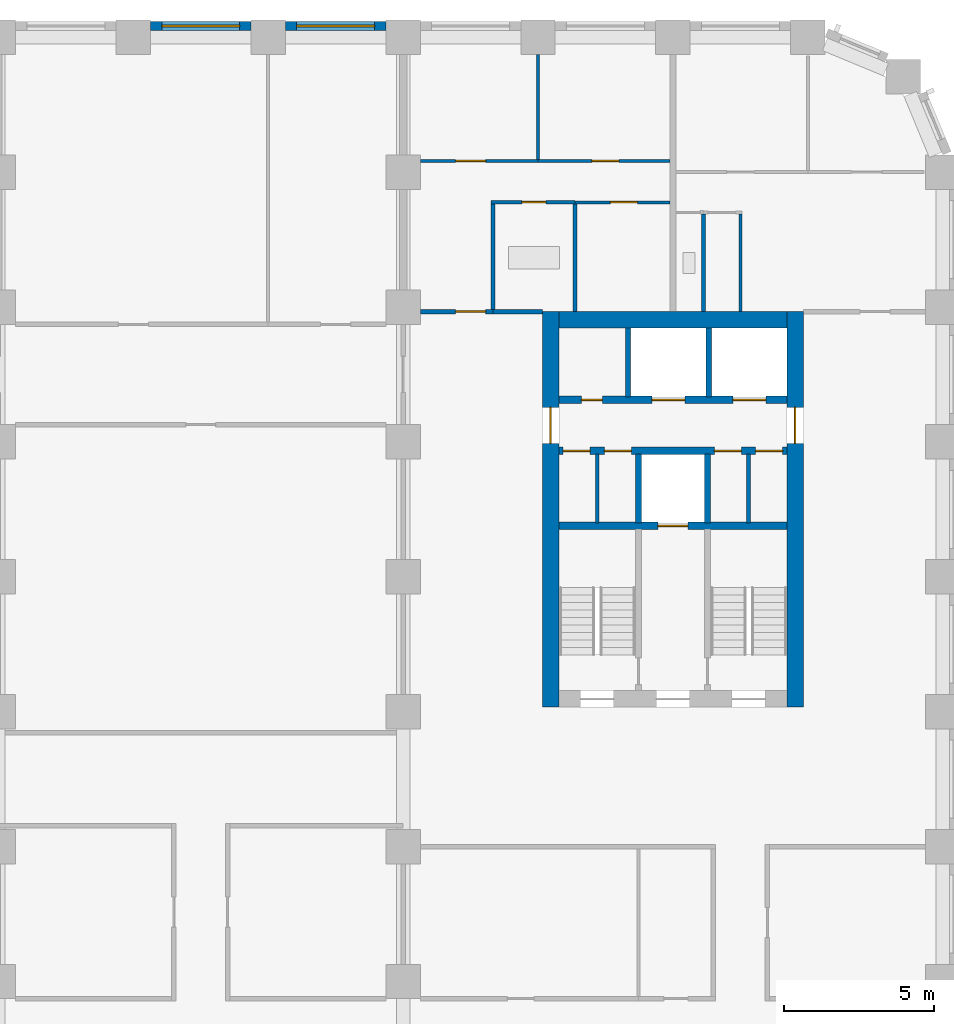
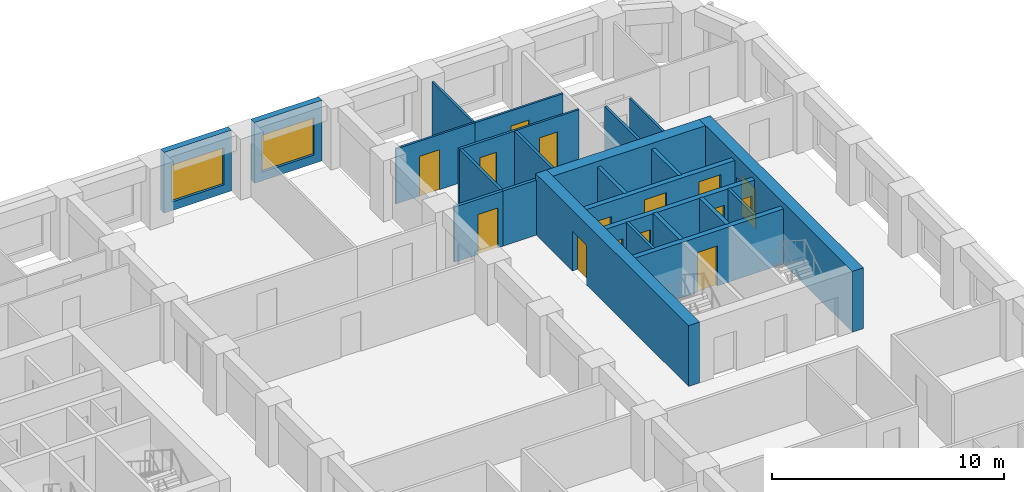
# One storey, part 8 of 12: 25 walls, 15 doors, 2 windows, 17 openings.
"""IFC4 building model written with IfcOpenShell, lengths in metres."""

from ifc_helpers import new_model, si_unit, direction, frame, frame_2d, origin, place, context, subcontext, project, spatial, rectangle, extrude, material, layer, layer_set, type_object, element, fill, save


model = new_model("IFC4")

# Units and contexts
model_context = context("Model", 3, precision=1e-05, world=origin(), true_north=direction((0.0, 1.0)))
body_context = subcontext(model_context, "Body", "Model", "MODEL_VIEW")
ifc_project = project(units=[si_unit("LENGTHUNIT", "METRE"), si_unit("AREAUNIT", "SQUARE_METRE"), si_unit("VOLUMEUNIT", "CUBIC_METRE"), si_unit("PLANEANGLEUNIT", "RADIAN"), si_unit("MASSUNIT", "GRAM", prefix="KILO")], contexts=[model_context])

# Site, building, storey
site_placement = place(None, origin())
site = spatial("IfcSite", under=ifc_project, at=site_placement, CompositionType="ELEMENT")
building_placement = place(site_placement, origin())
building = spatial("IfcBuilding", under=site, at=building_placement, Name="Girih Gate Residences", CompositionType="ELEMENT")
storey_placement = place(building_placement, frame((0.0, 0.0, 112.0)))
storey = spatial("IfcBuildingStorey", under=building, at=storey_placement, Name="L31", CompositionType="ELEMENT", Elevation=112.0)

# Wall
ifc_material_1 = material(Name="Gypsum board on steel studs", Category="steel")
ifc_layer_1 = layer(ifc_material_1, 0.14990234375)
ifc_layer_set_1 = layer_set([ifc_layer_1], Name="Compartment wall 150 mm")
wall_type_1 = type_object("IfcWallType", Name="Compartment wall 150 mm", PredefinedType="PARTITIONING", material=ifc_layer_set_1)
wall_1_placement = place(storey_placement, frame((34.5, 40.35009765625, 0.0), z_axis=(0.0, 0.0, 1.0), x_axis=(1.0, 0.0, 0.0)))
element("IfcWall", 1, at=wall_1_placement, inside=storey, type_object=wall_type_1, Name="L31 partition", PredefinedType="PARTITIONING", context=body_context, shape_type="SweptSolid", body=[
    extrude(rectangle(XDim=1.64990234375, YDim=0.14990234375, at=frame_2d((0.824951171875, 0.0))), origin(), (0.0, 0.0, 1.0), 2.89990234375),
])

# Wall, opening, door
wall_2_placement = place(storey_placement, frame((32.074951171875, 40.35009765625, 0.0), z_axis=(0.0, 0.0, 1.0), x_axis=(1.0, 0.0, 0.0)))
wall_2 = element("IfcWall", 2, at=wall_2_placement, inside=storey, type_object=wall_type_1, Name="L31 partition", PredefinedType="PARTITIONING", context=body_context, shape_type="SweptSolid", body=[
    extrude(rectangle(XDim=2.425048828125, YDim=0.14990234375, at=frame_2d((1.21240234375, 0.0))), origin(), (0.0, 0.0, 1.0), 2.89990234375),
])
opening_1_placement = place(wall_2_placement, frame((1.175048828125, 0.0, 0.0)))
opening_1 = element("IfcOpeningElement", 3, at=opening_1_placement, cuts=wall_2, Name="Opening A31-038", PredefinedType="OPENING", context=body_context, shape_type="SweptSolid", body=[
    extrude(rectangle(XDim=1.0, YDim=2.10009765625, at=frame_2d((0.5, 1.050048828125))), frame((0.0, 0.0849609375, 0.0), z_axis=(0.0, -1.0, 0.0), x_axis=(1.0, 0.0, 0.0)), (0.0, 0.0, 1.0), 0.169921875),
])
ifc_material_2 = material(Name="Timber, fire-rated core", Category="wood")
door_type_1 = type_object("IfcDoorType", Name="Flat entrance door 1000x2100 FD30S", OperationType="NOTDEFINED", PredefinedType="DOOR", material=ifc_material_2)
door_1_placement = place(opening_1_placement, origin())
door_1 = element("IfcDoor", 4, at=door_1_placement, inside=storey, type_object=door_type_1, Name="Door A31-038", OperationType="SINGLE_SWING_RIGHT", OverallHeight=2.10009765625, OverallWidth=1.0, PredefinedType="DOOR", context=body_context, shape_type="SweptSolid", body=[
    extrude(rectangle(XDim=1.0, YDim=2.10009765625, at=frame_2d((0.5, 1.050048828125))), frame((0.0, 0.02490234375, 0.0), z_axis=(0.0, -1.0, 0.0), x_axis=(1.0, 0.0, 0.0)), (0.0, 0.0, 1.0), 0.050048828125),
])
fill(opening_1, door_1)

# Wall
ifc_material_3 = material(Name="Concrete C60/75", Category="concrete")
ifc_layer_2 = layer(ifc_material_3, 0.550048828125)
ifc_layer_set_2 = layer_set([ifc_layer_2], Name="Core wall RC 550 Concrete C60/75")
wall_type_2 = type_object("IfcWallType", Name="Core wall RC 550 Concrete C60/75", PredefinedType="SOLIDWALL", material=ifc_layer_set_2)
wall_3_placement = place(storey_placement, frame((36.699951171875, 40.074951171875, 0.0), z_axis=(0.0, 0.0, 1.0), x_axis=(1.0, 0.0, 0.0)))
element("IfcWall", 5, at=wall_3_placement, inside=storey, type_object=wall_type_2, Name="Core wall E-N L31", PredefinedType="SOLIDWALL", context=body_context, shape_type="SweptSolid", body=[
    extrude(rectangle(XDim=7.60009765625, YDim=0.550048828125, at=frame_2d((3.800048828125, 0.0))), origin(), (0.0, 0.0, 1.0), 3.199951171875),
])

# Wall, opening, door
wall_4_placement = place(storey_placement, frame((36.425048828125, 27.14990234375, 0.0), z_axis=(0.0, 0.0, 1.0), x_axis=(0.0, 1.0, 0.0)))
wall_4 = element("IfcWall", 6, at=wall_4_placement, inside=storey, type_object=wall_type_2, Name="Core wall E-W L31", PredefinedType="SOLIDWALL", context=body_context, shape_type="SweptSolid", body=[
    extrude(rectangle(XDim=13.2001953125, YDim=0.550048828125, at=frame_2d((6.60009765625, 0.0))), origin(), (0.0, 0.0, 1.0), 3.199951171875),
])
opening_2_placement = place(wall_4_placement, frame((8.800048828125, 0.0, 0.0)))
opening_2 = element("IfcOpeningElement", 7, at=opening_2_placement, cuts=wall_4, Name="Opening D-L31-E-014", PredefinedType="OPENING", context=body_context, shape_type="SweptSolid", body=[
    extrude(rectangle(XDim=1.199951171875, YDim=2.10009765625, at=frame_2d((0.60009765625, 1.050048828125))), frame((0.0, 0.284912109375, 0.0), z_axis=(0.0, -1.0, 0.0), x_axis=(1.0, 0.0, 0.0)), (0.0, 0.0, 1.0), 0.570068359375),
])
ifc_material_4 = material(Name="Painted steel, fire-resisting", Category="steel")
door_type_2 = type_object("IfcDoorType", Name="Fire door 1200x2100", OperationType="SINGLE_SWING_LEFT", PredefinedType="DOOR", material=ifc_material_4)
door_2_placement = place(opening_2_placement, origin())
door_2 = element("IfcDoor", 8, at=door_2_placement, inside=storey, type_object=door_type_2, Name="L31 E core door ll-w", OperationType="SINGLE_SWING_LEFT", OverallHeight=2.10009765625, OverallWidth=1.199951171875, PredefinedType="DOOR", context=body_context, shape_type="SweptSolid", body=[
    extrude(rectangle(XDim=1.199951171875, YDim=2.10009765625, at=frame_2d((0.60009765625, 1.050048828125))), frame((0.0, 0.02490234375, 0.0), z_axis=(0.0, -1.0, 0.0), x_axis=(1.0, 0.0, 0.0)), (0.0, 0.0, 1.0), 0.050048828125),
])
fill(opening_2, door_2)

wall_5_placement = place(storey_placement, frame((44.574951171875, 27.14990234375, 0.0), z_axis=(0.0, 0.0, 1.0), x_axis=(0.0, 1.0, 0.0)))
wall_5 = element("IfcWall", 9, at=wall_5_placement, inside=storey, type_object=wall_type_2, Name="Core wall E-E L31", PredefinedType="SOLIDWALL", context=body_context, shape_type="SweptSolid", body=[
    extrude(rectangle(XDim=13.2001953125, YDim=0.550048828125, at=frame_2d((6.60009765625, 0.0))), origin(), (0.0, 0.0, 1.0), 3.199951171875),
])
opening_3_placement = place(wall_5_placement, frame((8.800048828125, 0.0, 0.0)))
opening_3 = element("IfcOpeningElement", 10, at=opening_3_placement, cuts=wall_5, Name="Opening D-L31-E-015", PredefinedType="OPENING", context=body_context, shape_type="SweptSolid", body=[
    extrude(rectangle(XDim=1.199951171875, YDim=2.10009765625, at=frame_2d((0.60009765625, 1.050048828125))), frame((0.0, 0.284912109375, 0.0), z_axis=(0.0, -1.0, 0.0), x_axis=(1.0, 0.0, 0.0)), (0.0, 0.0, 1.0), 0.570068359375),
])
door_3_placement = place(opening_3_placement, origin())
door_3 = element("IfcDoor", 11, at=door_3_placement, inside=storey, type_object=door_type_2, Name="L31 E core door ll-e", OperationType="SINGLE_SWING_LEFT", OverallHeight=2.10009765625, OverallWidth=1.199951171875, PredefinedType="DOOR", context=body_context, shape_type="SweptSolid", body=[
    extrude(rectangle(XDim=1.199951171875, YDim=2.10009765625, at=frame_2d((0.60009765625, 1.050048828125))), frame((0.0, 0.02490234375, 0.0), z_axis=(0.0, -1.0, 0.0), x_axis=(1.0, 0.0, 0.0)), (0.0, 0.0, 1.0), 0.050048828125),
])
fill(opening_3, door_3)

ifc_material_5 = material(Name="Concrete C40/50", Category="concrete")
ifc_layer_3 = layer(ifc_material_5, 0.25)
ifc_layer_set_3 = layer_set([ifc_layer_3], Name="Lift shaft wall 250")
wall_type_3 = type_object("IfcWallType", Name="Lift shaft wall 250", PredefinedType="SOLIDWALL", material=ifc_layer_set_3)
wall_6_placement = place(storey_placement, frame((36.699951171875, 33.199951171875, 0.0), z_axis=(0.0, 0.0, 1.0), x_axis=(1.0, 0.0, 0.0)))
wall_6 = element("IfcWall", 12, at=wall_6_placement, inside=storey, type_object=wall_type_3, Name="L31 E core wall H1", PredefinedType="SOLIDWALL", context=body_context, shape_type="SweptSolid", body=[
    extrude(rectangle(XDim=7.60009765625, YDim=0.25, at=frame_2d((3.800048828125, 0.0))), origin(), (0.0, 0.0, 1.0), 2.89990234375),
])
opening_4_placement = place(wall_6_placement, frame((3.300048828125, 0.0, 0.0)))
opening_4 = element("IfcOpeningElement", 13, at=opening_4_placement, cuts=wall_6, Name="Opening D-L31-E-005", PredefinedType="OPENING", context=body_context, shape_type="SweptSolid", body=[
    extrude(rectangle(XDim=1.0, YDim=2.10009765625, at=frame_2d((0.5, 1.050048828125))), frame((0.0, 0.135009765625, 0.0), z_axis=(0.0, -1.0, 0.0), x_axis=(1.0, 0.0, 0.0)), (0.0, 0.0, 1.0), 0.27001953125),
])
ifc_material_6 = material(Name="Stainless steel, fire-resisting", Category="steel")
door_type_3 = type_object("IfcDoorType", Name="Firefighting lift landing door 1000x2100", OperationType="SLIDING_TO_LEFT", PredefinedType="DOOR", material=ifc_material_6)
door_4_placement = place(opening_4_placement, origin())
door_4 = element("IfcDoor", 14, at=door_4_placement, inside=storey, type_object=door_type_3, Name="L31 lift FF-E landing door", OperationType="SLIDING_TO_LEFT", OverallHeight=2.10009765625, OverallWidth=1.0, PredefinedType="DOOR", context=body_context, shape_type="SweptSolid", body=[
    extrude(rectangle(XDim=1.0, YDim=2.10009765625, at=frame_2d((0.5, 1.050048828125))), frame((0.0, 0.02490234375, 0.0), z_axis=(0.0, -1.0, 0.0), x_axis=(1.0, 0.0, 0.0)), (0.0, 0.0, 1.0), 0.050048828125),
])
fill(opening_4, door_4)

# Wall, openings, doors
wall_7_placement = place(storey_placement, frame((36.699951171875, 35.699951171875, 0.0), z_axis=(0.0, 0.0, 1.0), x_axis=(1.0, 0.0, 0.0)))
wall_7 = element("IfcWall", 15, at=wall_7_placement, inside=storey, type_object=wall_type_3, Name="L31 E core wall H2", PredefinedType="SOLIDWALL", context=body_context, shape_type="SweptSolid", body=[
    extrude(rectangle(XDim=7.60009765625, YDim=0.25, at=frame_2d((3.800048828125, 0.0))), origin(), (0.0, 0.0, 1.0), 2.89990234375),
])
opening_5_placement = place(wall_7_placement, frame((6.5625, 0.0, 0.0)))
opening_5 = element("IfcOpeningElement", 16, at=opening_5_placement, cuts=wall_7, Name="Opening D-L31-E-007", PredefinedType="OPENING", context=body_context, shape_type="SweptSolid", body=[
    extrude(rectangle(XDim=0.89990234375, YDim=2.10009765625, at=frame_2d((0.449951171875, 1.050048828125))), frame((0.0, 0.135009765625, 0.0), z_axis=(0.0, -1.0, 0.0), x_axis=(1.0, 0.0, 0.0)), (0.0, 0.0, 1.0), 0.27001953125),
])
opening_6_placement = place(wall_7_placement, frame((5.1875, 0.0, 0.0)))
opening_6 = element("IfcOpeningElement", 17, at=opening_6_placement, cuts=wall_7, Name="Opening D-L31-E-008", PredefinedType="OPENING", context=body_context, shape_type="SweptSolid", body=[
    extrude(rectangle(XDim=0.89990234375, YDim=2.10009765625, at=frame_2d((0.449951171875, 1.050048828125))), frame((0.0, 0.135009765625, 0.0), z_axis=(0.0, -1.0, 0.0), x_axis=(1.0, 0.0, 0.0)), (0.0, 0.0, 1.0), 0.27001953125),
])
opening_7_placement = place(wall_7_placement, frame((1.512451171875, 0.0, 0.0)))
opening_7 = element("IfcOpeningElement", 18, at=opening_7_placement, cuts=wall_7, Name="Opening D-L31-E-009", PredefinedType="OPENING", context=body_context, shape_type="SweptSolid", body=[
    extrude(rectangle(XDim=0.89990234375, YDim=2.10009765625, at=frame_2d((0.449951171875, 1.050048828125))), frame((0.0, 0.135009765625, 0.0), z_axis=(0.0, -1.0, 0.0), x_axis=(1.0, 0.0, 0.0)), (0.0, 0.0, 1.0), 0.27001953125),
])
opening_8_placement = place(wall_7_placement, frame((0.137451171875, 0.0, 0.0)))
opening_8 = element("IfcOpeningElement", 19, at=opening_8_placement, cuts=wall_7, Name="Opening D-L31-E-010", PredefinedType="OPENING", context=body_context, shape_type="SweptSolid", body=[
    extrude(rectangle(XDim=0.89990234375, YDim=2.10009765625, at=frame_2d((0.449951171875, 1.050048828125))), frame((0.0, 0.135009765625, 0.0), z_axis=(0.0, -1.0, 0.0), x_axis=(1.0, 0.0, 0.0)), (0.0, 0.0, 1.0), 0.27001953125),
])
door_type_4 = type_object("IfcDoorType", Name="Fire door 900x2100", OperationType="SINGLE_SWING_LEFT", PredefinedType="DOOR", material=ifc_material_4)
door_5_placement = place(opening_5_placement, origin())
door_5 = element("IfcDoor", 20, at=door_5_placement, inside=storey, type_object=door_type_4, Name="L31 E comms room door", OperationType="SINGLE_SWING_LEFT", OverallHeight=2.10009765625, OverallWidth=0.89990234375, PredefinedType="DOOR", context=body_context, shape_type="SweptSolid", body=[
    extrude(rectangle(XDim=0.89990234375, YDim=2.10009765625, at=frame_2d((0.449951171875, 1.050048828125))), frame((0.0, 0.02490234375, 0.0), z_axis=(0.0, -1.0, 0.0), x_axis=(1.0, 0.0, 0.0)), (0.0, 0.0, 1.0), 0.050048828125),
])
fill(opening_5, door_5)
door_6_placement = place(opening_6_placement, origin())
door_6 = element("IfcDoor", 21, at=door_6_placement, inside=storey, type_object=door_type_4, Name="L31 E it room door", OperationType="SINGLE_SWING_LEFT", OverallHeight=2.10009765625, OverallWidth=0.89990234375, PredefinedType="DOOR", context=body_context, shape_type="SweptSolid", body=[
    extrude(rectangle(XDim=0.89990234375, YDim=2.10009765625, at=frame_2d((0.449951171875, 1.050048828125))), frame((0.0, 0.02490234375, 0.0), z_axis=(0.0, -1.0, 0.0), x_axis=(1.0, 0.0, 0.0)), (0.0, 0.0, 1.0), 0.050048828125),
])
fill(opening_6, door_6)
door_7_placement = place(opening_7_placement, origin())
door_7 = element("IfcDoor", 22, at=door_7_placement, inside=storey, type_object=door_type_4, Name="L31 E cleaners store door", OperationType="SINGLE_SWING_LEFT", OverallHeight=2.10009765625, OverallWidth=0.89990234375, PredefinedType="DOOR", context=body_context, shape_type="SweptSolid", body=[
    extrude(rectangle(XDim=0.89990234375, YDim=2.10009765625, at=frame_2d((0.449951171875, 1.050048828125))), frame((0.0, 0.02490234375, 0.0), z_axis=(0.0, -1.0, 0.0), x_axis=(1.0, 0.0, 0.0)), (0.0, 0.0, 1.0), 0.050048828125),
])
fill(opening_7, door_7)
door_8_placement = place(opening_8_placement, origin())
door_8 = element("IfcDoor", 23, at=door_8_placement, inside=storey, type_object=door_type_4, Name="L31 E riser room door", OperationType="SINGLE_SWING_LEFT", OverallHeight=2.10009765625, OverallWidth=0.89990234375, PredefinedType="DOOR", context=body_context, shape_type="SweptSolid", body=[
    extrude(rectangle(XDim=0.89990234375, YDim=2.10009765625, at=frame_2d((0.449951171875, 1.050048828125))), frame((0.0, 0.02490234375, 0.0), z_axis=(0.0, -1.0, 0.0), x_axis=(1.0, 0.0, 0.0)), (0.0, 0.0, 1.0), 0.050048828125),
])
fill(opening_8, door_8)

wall_8_placement = place(storey_placement, frame((36.699951171875, 37.39990234375, 0.0), z_axis=(0.0, 0.0, 1.0), x_axis=(1.0, 0.0, 0.0)))
wall_8 = element("IfcWall", 24, at=wall_8_placement, inside=storey, type_object=wall_type_3, Name="L31 E core wall H3", PredefinedType="SOLIDWALL", context=body_context, shape_type="SweptSolid", body=[
    extrude(rectangle(XDim=7.60009765625, YDim=0.25, at=frame_2d((3.800048828125, 0.0))), origin(), (0.0, 0.0, 1.0), 2.89990234375),
])
opening_9_placement = place(wall_8_placement, frame((5.800048828125, 0.0, 0.0)))
opening_9 = element("IfcOpeningElement", 25, at=opening_9_placement, cuts=wall_8, Name="Opening D-L31-E-003", PredefinedType="OPENING", context=body_context, shape_type="SweptSolid", body=[
    extrude(rectangle(XDim=1.10009765625, YDim=2.39990234375, at=frame_2d((0.550048828125, 1.199951171875))), frame((0.0, 0.135009765625, 0.0), z_axis=(0.0, -1.0, 0.0), x_axis=(1.0, 0.0, 0.0)), (0.0, 0.0, 1.0), 0.27001953125),
])
opening_10_placement = place(wall_8_placement, frame((3.10009765625, 0.0, 0.0)))
opening_10 = element("IfcOpeningElement", 26, at=opening_10_placement, cuts=wall_8, Name="Opening D-L31-E-004", PredefinedType="OPENING", context=body_context, shape_type="SweptSolid", body=[
    extrude(rectangle(XDim=1.10009765625, YDim=2.39990234375, at=frame_2d((0.550048828125, 1.199951171875))), frame((0.0, 0.135009765625, 0.0), z_axis=(0.0, -1.0, 0.0), x_axis=(1.0, 0.0, 0.0)), (0.0, 0.0, 1.0), 0.27001953125),
])
opening_11_placement = place(wall_8_placement, frame((0.75, 0.0, 0.0)))
opening_11 = element("IfcOpeningElement", 27, at=opening_11_placement, cuts=wall_8, Name="Opening D-L31-E-006", PredefinedType="OPENING", context=body_context, shape_type="SweptSolid", body=[
    extrude(rectangle(XDim=0.699951171875, YDim=2.10009765625, at=frame_2d((0.35009765625, 1.050048828125))), frame((0.0, 0.135009765625, 0.0), z_axis=(0.0, -1.0, 0.0), x_axis=(1.0, 0.0, 0.0)), (0.0, 0.0, 1.0), 0.27001953125),
])
ifc_material_7 = material(Name="Stainless steel", Category="steel")
door_type_5 = type_object("IfcDoorType", Name="Lift landing door 1100x2400", OperationType="SLIDING_TO_LEFT", PredefinedType="DOOR", material=ifc_material_7)
door_9_placement = place(opening_9_placement, origin())
door_9 = element("IfcDoor", 28, at=door_9_placement, inside=storey, type_object=door_type_5, Name="L31 lift LR-E1 landing door", OperationType="SLIDING_TO_LEFT", OverallHeight=2.39990234375, OverallWidth=1.10009765625, PredefinedType="DOOR", context=body_context, shape_type="SweptSolid", body=[
    extrude(rectangle(XDim=1.10009765625, YDim=2.39990234375, at=frame_2d((0.550048828125, 1.199951171875))), frame((0.0, 0.02490234375, 0.0), z_axis=(0.0, -1.0, 0.0), x_axis=(1.0, 0.0, 0.0)), (0.0, 0.0, 1.0), 0.050048828125),
])
fill(opening_9, door_9)
door_10_placement = place(opening_10_placement, origin())
door_10 = element("IfcDoor", 29, at=door_10_placement, inside=storey, type_object=door_type_5, Name="L31 lift LR-E2 landing door", OperationType="SLIDING_TO_LEFT", OverallHeight=2.39990234375, OverallWidth=1.10009765625, PredefinedType="DOOR", context=body_context, shape_type="SweptSolid", body=[
    extrude(rectangle(XDim=1.10009765625, YDim=2.39990234375, at=frame_2d((0.550048828125, 1.199951171875))), frame((0.0, 0.02490234375, 0.0), z_axis=(0.0, -1.0, 0.0), x_axis=(1.0, 0.0, 0.0)), (0.0, 0.0, 1.0), 0.050048828125),
])
fill(opening_10, door_10)
door_type_6 = type_object("IfcDoorType", Name="Riser access door 700x2100", OperationType="SINGLE_SWING_LEFT", PredefinedType="DOOR", material=ifc_material_4)
door_11_placement = place(opening_11_placement, origin())
door_11 = element("IfcDoor", 30, at=door_11_placement, inside=storey, type_object=door_type_6, Name="L31 E riser room door", OperationType="SINGLE_SWING_LEFT", OverallHeight=2.10009765625, OverallWidth=0.699951171875, PredefinedType="DOOR", context=body_context, shape_type="SweptSolid", body=[
    extrude(rectangle(XDim=0.699951171875, YDim=2.10009765625, at=frame_2d((0.35009765625, 1.050048828125))), frame((0.0, 0.02490234375, 0.0), z_axis=(0.0, -1.0, 0.0), x_axis=(1.0, 0.0, 0.0)), (0.0, 0.0, 1.0), 0.050048828125),
])
fill(opening_11, door_11)

# Wall
ifc_layer_4 = layer(ifc_material_1, 0.10009765625)
ifc_layer_set_4 = layer_set([ifc_layer_4], Name="Partition 100 mm")
wall_type_4 = type_object("IfcWallType", Name="Partition 100 mm", PredefinedType="PARTITIONING", material=ifc_layer_set_4)
wall_9_placement = place(storey_placement, frame((42.75, 40.35009765625, 0.0), z_axis=(0.0, 0.0, 1.0), x_axis=(0.0, 1.0, 0.0)))
element("IfcWall", 31, at=wall_9_placement, inside=storey, type_object=wall_type_4, Name="L31 partition", PredefinedType="PARTITIONING", context=body_context, shape_type="SweptSolid", body=[
    extrude(rectangle(XDim=3.260009765625, YDim=0.10009765625, at=frame_2d((1.6298828125, 0.0))), origin(), (0.0, 0.0, 1.0), 2.89990234375),
])

# Wall, opening, door
wall_10_placement = place(storey_placement, frame((36.0, 45.375, 0.0), z_axis=(0.0, 0.0, 1.0), x_axis=(1.0, 0.0, 0.0)))
wall_10 = element("IfcWall", 32, at=wall_10_placement, inside=storey, type_object=wall_type_4, Name="L31 partition", PredefinedType="PARTITIONING", context=body_context, shape_type="SweptSolid", body=[
    extrude(rectangle(XDim=4.39990234375, YDim=0.10009765625, at=frame_2d((2.199951171875, 0.0))), origin(), (0.0, 0.0, 1.0), 2.89990234375),
])
opening_12_placement = place(wall_10_placement, frame((1.800048828125, 0.0, 0.0)))
opening_12 = element("IfcOpeningElement", 33, at=opening_12_placement, cuts=wall_10, Name="Opening A31-035", PredefinedType="OPENING", context=body_context, shape_type="SweptSolid", body=[
    extrude(rectangle(XDim=0.89990234375, YDim=2.10009765625, at=frame_2d((0.449951171875, 1.050048828125))), frame((0.0, 0.06005859375, 0.0), z_axis=(0.0, -1.0, 0.0), x_axis=(1.0, 0.0, 0.0)), (0.0, 0.0, 1.0), 0.1201171875),
])
ifc_material_8 = material(Name="Timber", Category="wood")
door_type_7 = type_object("IfcDoorType", Name="Bedroom door 900x2100", OperationType="NOTDEFINED", PredefinedType="DOOR", material=ifc_material_8)
door_12_placement = place(opening_12_placement, origin())
door_12 = element("IfcDoor", 34, at=door_12_placement, inside=storey, type_object=door_type_7, Name="Door A31-035", OperationType="SINGLE_SWING_RIGHT", OverallHeight=2.10009765625, OverallWidth=0.89990234375, PredefinedType="DOOR", context=body_context, shape_type="SweptSolid", body=[
    extrude(rectangle(XDim=0.89990234375, YDim=2.10009765625, at=frame_2d((0.449951171875, 1.050048828125))), frame((0.0, 0.02490234375, 0.0), z_axis=(0.0, -1.0, 0.0), x_axis=(1.0, 0.0, 0.0)), (0.0, 0.0, 1.0), 0.050048828125),
])
fill(opening_12, door_12)

# Wall
wall_11_placement = place(storey_placement, frame((36.0, 45.425048828125, 0.0), z_axis=(0.0, 0.0, 1.0), x_axis=(0.0, 1.0, 0.0)))
element("IfcWall", 35, at=wall_11_placement, inside=storey, type_object=wall_type_4, Name="L31 partition", PredefinedType="PARTITIONING", context=body_context, shape_type="SweptSolid", body=[
    extrude(rectangle(XDim=3.5, YDim=0.10009765625, at=frame_2d((1.75, 0.0))), origin(), (0.0, 0.0, 1.0), 2.89990234375),
])

# Wall, opening, door
wall_12_placement = place(storey_placement, frame((40.39990234375, 43.9951171875, 0.0), z_axis=(0.0, 0.0, 1.0), x_axis=(-1.0, 0.0, 0.0)))
wall_12 = element("IfcWall", 36, at=wall_12_placement, inside=storey, type_object=wall_type_4, Name="L31 partition", PredefinedType="PARTITIONING", context=body_context, shape_type="SweptSolid", body=[
    extrude(rectangle(XDim=3.16845703125, YDim=0.10009765625, at=frame_2d((1.584228515625, 0.0))), origin(), (0.0, 0.0, 1.0), 2.89990234375),
])
opening_13_placement = place(wall_12_placement, frame((1.084228515625, 0.0, 0.0)))
opening_13 = element("IfcOpeningElement", 37, at=opening_13_placement, cuts=wall_12, Name="Opening A31-036", PredefinedType="OPENING", context=body_context, shape_type="SweptSolid", body=[
    extrude(rectangle(XDim=0.89990234375, YDim=2.10009765625, at=frame_2d((0.449951171875, 1.050048828125))), frame((0.0, 0.06005859375, 0.0), z_axis=(0.0, -1.0, 0.0), x_axis=(1.0, 0.0, 0.0)), (0.0, 0.0, 1.0), 0.1201171875),
])
door_type_8 = type_object("IfcDoorType", Name="Kitchen door 900x2100", OperationType="NOTDEFINED", PredefinedType="DOOR", material=ifc_material_8)
door_13_placement = place(opening_13_placement, origin())
door_13 = element("IfcDoor", 38, at=door_13_placement, inside=storey, type_object=door_type_8, Name="Door A31-036", OperationType="SINGLE_SWING_LEFT", OverallHeight=2.10009765625, OverallWidth=0.89990234375, PredefinedType="DOOR", context=body_context, shape_type="SweptSolid", body=[
    extrude(rectangle(XDim=0.89990234375, YDim=2.10009765625, at=frame_2d((0.449951171875, 1.050048828125))), frame((0.0, 0.02490234375, 0.0), z_axis=(0.0, -1.0, 0.0), x_axis=(1.0, 0.0, 0.0)), (0.0, 0.0, 1.0), 0.050048828125),
])
fill(opening_13, door_13)

wall_13_placement = place(storey_placement, frame((32.074951171875, 45.375, 0.0), z_axis=(0.0, 0.0, 1.0), x_axis=(1.0, 0.0, 0.0)))
wall_13 = element("IfcWall", 39, at=wall_13_placement, inside=storey, type_object=wall_type_4, Name="L31 partition", PredefinedType="PARTITIONING", context=body_context, shape_type="SweptSolid", body=[
    extrude(rectangle(XDim=3.925048828125, YDim=0.10009765625, at=frame_2d((1.96240234375, 0.0))), origin(), (0.0, 0.0, 1.0), 2.89990234375),
])
opening_14_placement = place(wall_13_placement, frame((1.175048828125, 0.0, 0.0)))
opening_14 = element("IfcOpeningElement", 40, at=opening_14_placement, cuts=wall_13, Name="Opening A31-037", PredefinedType="OPENING", context=body_context, shape_type="SweptSolid", body=[
    extrude(rectangle(XDim=1.0, YDim=2.10009765625, at=frame_2d((0.5, 1.050048828125))), frame((0.0, 0.06005859375, 0.0), z_axis=(0.0, -1.0, 0.0), x_axis=(1.0, 0.0, 0.0)), (0.0, 0.0, 1.0), 0.1201171875),
])
door_type_9 = type_object("IfcDoorType", Name="Living room door 1000x2100", OperationType="NOTDEFINED", PredefinedType="DOOR", material=ifc_material_8)
door_14_placement = place(opening_14_placement, origin())
door_14 = element("IfcDoor", 41, at=door_14_placement, inside=storey, type_object=door_type_9, Name="Door A31-037", OperationType="SINGLE_SWING_LEFT", OverallHeight=2.10009765625, OverallWidth=1.0, PredefinedType="DOOR", context=body_context, shape_type="SweptSolid", body=[
    extrude(rectangle(XDim=1.0, YDim=2.10009765625, at=frame_2d((0.5, 1.050048828125))), frame((0.0, 0.02490234375, 0.0), z_axis=(0.0, -1.0, 0.0), x_axis=(1.0, 0.0, 0.0)), (0.0, 0.0, 1.0), 0.050048828125),
])
fill(opening_14, door_14)

# Wall, opening, window
ifc_material_9 = material(Name="Precast concrete C50/60", Category="concrete")
ifc_layer_5 = layer(ifc_material_9, 0.080078125, Name="Outer leaf")
ifc_material_10 = material(Name="Rigid PIR insulation")
ifc_layer_6 = layer(ifc_material_10, 0.14990234375, Name="Insulation")
ifc_material_11 = material(Name="Precast concrete C40/50", Category="concrete")
ifc_layer_7 = layer(ifc_material_11, 0.070068359375, Name="Inner leaf")
ifc_layer_set_5 = layer_set([ifc_layer_5, ifc_layer_6, ifc_layer_7], Name="Precast concrete C50/60 external wall 300")
wall_type_5 = type_object("IfcWallType", Name="Precast concrete C50/60 external wall 300", PredefinedType="SOLIDWALL", material=ifc_layer_set_5)
wall_14_placement = place(storey_placement, frame((27.574951171875, 49.875, 0.0), z_axis=(0.0, 0.0, 1.0), x_axis=(1.0, 0.0, 0.0)))
wall_14 = element("IfcWall", 42, at=wall_14_placement, inside=storey, type_object=wall_type_5, Name="External wall N0450_0495.3", PredefinedType="SOLIDWALL", context=body_context, shape_type="SweptSolid", body=[
    extrude(rectangle(XDim=3.35009765625, YDim=0.300048828125, at=frame_2d((1.675048828125, 0.0))), origin(), (0.0, 0.0, 1.0), 3.199951171875),
])
opening_15_placement = place(wall_14_placement, frame((0.375, 0.0, 0.449951171875)))
opening_15 = element("IfcOpeningElement", 43, at=opening_15_placement, cuts=wall_14, Name="Opening W-1A", PredefinedType="OPENING", context=body_context, shape_type="SweptSolid", body=[
    extrude(rectangle(XDim=2.60009765625, YDim=1.949951171875, at=frame_2d((1.300048828125, 0.97509765625))), frame((0.0, 0.159912109375, 0.0), z_axis=(0.0, -1.0, 0.0), x_axis=(1.0, 0.0, 0.0)), (0.0, 0.0, 1.0), 0.320068359375),
])
ifc_material_12 = material(Name="Double glazing in aluminium frame", Category="aluminium")
window_type = type_object("IfcWindowType", Name="Window W-1A 2600x1950", PartitioningType="SINGLE_PANEL", PredefinedType="WINDOW", material=ifc_material_12)
window_1_placement = place(opening_15_placement, origin())
window_1 = element("IfcWindow", 44, at=window_1_placement, inside=storey, type_object=window_type, Name="Window W-1A N0450_0495.3", OverallHeight=1.949951171875, OverallWidth=2.60009765625, PartitioningType="SINGLE_PANEL", PredefinedType="WINDOW", context=body_context, shape_type="SweptSolid", body=[
    extrude(rectangle(XDim=2.60009765625, YDim=1.949951171875, at=frame_2d((1.300048828125, 0.97509765625))), frame((0.0, 0.030029296875, 0.0), z_axis=(0.0, -1.0, 0.0), x_axis=(1.0, 0.0, 0.0)), (0.0, 0.0, 1.0), 0.06005859375),
])
fill(opening_15, window_1)

wall_15_placement = place(storey_placement, frame((23.074951171875, 49.875, 0.0), z_axis=(0.0, 0.0, 1.0), x_axis=(1.0, 0.0, 0.0)))
wall_15 = element("IfcWall", 45, at=wall_15_placement, inside=storey, type_object=wall_type_5, Name="External wall N0450_0495.4", PredefinedType="SOLIDWALL", context=body_context, shape_type="SweptSolid", body=[
    extrude(rectangle(XDim=3.35009765625, YDim=0.300048828125, at=frame_2d((1.675048828125, 0.0))), origin(), (0.0, 0.0, 1.0), 3.199951171875),
])
opening_16_placement = place(wall_15_placement, frame((0.375, 0.0, 0.449951171875)))
opening_16 = element("IfcOpeningElement", 46, at=opening_16_placement, cuts=wall_15, Name="Opening W-1A", PredefinedType="OPENING", context=body_context, shape_type="SweptSolid", body=[
    extrude(rectangle(XDim=2.60009765625, YDim=1.949951171875, at=frame_2d((1.300048828125, 0.97509765625))), frame((0.0, 0.159912109375, 0.0), z_axis=(0.0, -1.0, 0.0), x_axis=(1.0, 0.0, 0.0)), (0.0, 0.0, 1.0), 0.320068359375),
])
window_2_placement = place(opening_16_placement, origin())
window_2 = element("IfcWindow", 47, at=window_2_placement, inside=storey, type_object=window_type, Name="Window W-1A N0450_0495.4", OverallHeight=1.949951171875, OverallWidth=2.60009765625, PartitioningType="SINGLE_PANEL", PredefinedType="WINDOW", context=body_context, shape_type="SweptSolid", body=[
    extrude(rectangle(XDim=2.60009765625, YDim=1.949951171875, at=frame_2d((1.300048828125, 0.97509765625))), frame((0.0, 0.030029296875, 0.0), z_axis=(0.0, -1.0, 0.0), x_axis=(1.0, 0.0, 0.0)), (0.0, 0.0, 1.0), 0.06005859375),
])
fill(opening_16, window_2)

# Walls
ifc_layer_8 = layer(ifc_material_5, 0.175048828125)
ifc_layer_set_6 = layer_set([ifc_layer_8], Name="Riser shaft wall 175")
wall_type_6 = type_object("IfcWallType", Name="Riser shaft wall 175", PredefinedType="SOLIDWALL", material=ifc_layer_set_6)
for number, where, z_axis, x_axis, name in (
    (48, (41.699951171875, 37.5, 0.0), (0.0, 0.0, 1.0), (0.0, 1.0, 0.0), "L31 E core wall V1c"),
    (49, (39.0, 37.5, 0.0), (0.0, 0.0, 1.0), (0.0, 1.0, 0.0), "L31 E core wall V2c"),
):
    element("IfcWall", number, at=place(storey_placement, frame(where, z_axis=z_axis, x_axis=x_axis)), inside=storey, type_object=wall_type_6, Name=name, PredefinedType="SOLIDWALL", context=body_context, shape_type="SweptSolid", body=[
        extrude(rectangle(XDim=2.300048828125, YDim=0.175048828125, at=frame_2d((1.14990234375, 0.0))), origin(), (0.0, 0.0, 1.0), 2.89990234375),
    ])
ifc_layer_9 = layer(ifc_material_5, 0.199951171875)
ifc_layer_set_7 = layer_set([ifc_layer_9], Name="Shaft wall 200")
wall_type_7 = type_object("IfcWallType", Name="Shaft wall 200", PredefinedType="SOLIDWALL", material=ifc_layer_set_7)
for number, where, z_axis, x_axis, name in (
    (50, (41.64990234375, 33.300048828125, 0.0), (0.0, 0.0, 1.0), (0.0, 1.0, 0.0), "L31 E core wall V1b"),
    (51, (39.35009765625, 33.300048828125, 0.0), (0.0, 0.0, 1.0), (0.0, 1.0, 0.0), "L31 E core wall V2b"),
):
    element("IfcWall", number, at=place(storey_placement, frame(where, z_axis=z_axis, x_axis=x_axis)), inside=storey, type_object=wall_type_7, Name=name, PredefinedType="SOLIDWALL", context=body_context, shape_type="SweptSolid", body=[
        extrude(rectangle(XDim=2.300048828125, YDim=0.199951171875, at=frame_2d((1.14990234375, 0.0))), origin(), (0.0, 0.0, 1.0), 2.89990234375),
    ])
ifc_material_13 = material(Name="Calcium silicate blockwork", Category="masonry")
ifc_layer_10 = layer(ifc_material_13, 0.125)
ifc_layer_set_8 = layer_set([ifc_layer_10], Name="Store partition 125")
wall_type_8 = type_object("IfcWallType", Name="Store partition 125", PredefinedType="PARTITIONING", material=ifc_layer_set_8)
for number, where, z_axis, x_axis, name in (
    (52, (43.02490234375, 33.300048828125, 0.0), (0.0, 0.0, 1.0), (0.0, 1.0, 0.0), "L31 E core wall SHR1"),
    (53, (37.97509765625, 33.300048828125, 0.0), (0.0, 0.0, 1.0), (0.0, 1.0, 0.0), "L31 E core wall SHR2"),
):
    element("IfcWall", number, at=place(storey_placement, frame(where, z_axis=z_axis, x_axis=x_axis)), inside=storey, type_object=wall_type_8, Name=name, PredefinedType="PARTITIONING", context=body_context, shape_type="SweptSolid", body=[
        extrude(rectangle(XDim=2.300048828125, YDim=0.125, at=frame_2d((1.14990234375, 0.0))), origin(), (0.0, 0.0, 1.0), 2.89990234375),
    ])
ifc_layer_11 = layer(ifc_material_1, 0.125)
ifc_layer_set_9 = layer_set([ifc_layer_11], Name="Wet room wall 125 mm")
wall_type_9 = type_object("IfcWallType", Name="Wet room wall 125 mm", PredefinedType="PARTITIONING", material=ifc_layer_set_9)
wall_16_placement = place(storey_placement, frame((41.52294921875, 40.35009765625, 0.0), z_axis=(0.0, 0.0, 1.0), x_axis=(0.0, 1.0, 0.0)))
element("IfcWall", 54, at=wall_16_placement, inside=storey, type_object=wall_type_9, Name="L31 partition", PredefinedType="PARTITIONING", context=body_context, shape_type="SweptSolid", body=[
    extrude(rectangle(XDim=3.247314453125, YDim=0.125, at=frame_2d((1.62353515625, 0.0))), origin(), (0.0, 0.0, 1.0), 2.89990234375),
])
wall_17_placement = place(storey_placement, frame((34.5, 40.425048828125, 0.0), z_axis=(0.0, 0.0, 1.0), x_axis=(0.0, 1.0, 0.0)))
element("IfcWall", 55, at=wall_17_placement, inside=storey, type_object=wall_type_9, Name="L31 partition", PredefinedType="PARTITIONING", context=body_context, shape_type="SweptSolid", body=[
    extrude(rectangle(XDim=3.507568359375, YDim=0.125, at=frame_2d((1.75390625, 0.0))), origin(), (0.0, 0.0, 1.0), 2.89990234375),
])

# Wall, opening, door
wall_18_placement = place(storey_placement, frame((37.2314453125, 43.9951171875, 0.0), z_axis=(0.0, 0.0, 1.0), x_axis=(-1.0, 0.0, 0.0)))
wall_18 = element("IfcWall", 56, at=wall_18_placement, inside=storey, type_object=wall_type_9, Name="L31 partition", PredefinedType="PARTITIONING", context=body_context, shape_type="SweptSolid", body=[
    extrude(rectangle(XDim=2.7939453125, YDim=0.125, at=frame_2d((1.39697265625, 0.0))), origin(), (0.0, 0.0, 1.0), 2.89990234375),
])
opening_17_placement = place(wall_18_placement, frame((0.9658203125, 0.0, 0.0)))
opening_17 = element("IfcOpeningElement", 57, at=opening_17_placement, cuts=wall_18, Name="Opening A31-034", PredefinedType="OPENING", context=body_context, shape_type="SweptSolid", body=[
    extrude(rectangle(XDim=0.800048828125, YDim=2.10009765625, at=frame_2d((0.39990234375, 1.050048828125))), frame((0.0, 0.072509765625, 0.0), z_axis=(0.0, -1.0, 0.0), x_axis=(1.0, 0.0, 0.0)), (0.0, 0.0, 1.0), 0.14501953125),
])
door_type_10 = type_object("IfcDoorType", Name="Bathroom door 800x2100", OperationType="NOTDEFINED", PredefinedType="DOOR", material=ifc_material_8)
door_15_placement = place(opening_17_placement, origin())
door_15 = element("IfcDoor", 58, at=door_15_placement, inside=storey, type_object=door_type_10, Name="Door A31-034", OperationType="SINGLE_SWING_LEFT", OverallHeight=2.10009765625, OverallWidth=0.800048828125, PredefinedType="DOOR", context=body_context, shape_type="SweptSolid", body=[
    extrude(rectangle(XDim=0.800048828125, YDim=2.10009765625, at=frame_2d((0.39990234375, 1.050048828125))), frame((0.0, 0.02490234375, 0.0), z_axis=(0.0, -1.0, 0.0), x_axis=(1.0, 0.0, 0.0)), (0.0, 0.0, 1.0), 0.050048828125),
])
fill(opening_17, door_15)

# Wall
wall_19_placement = place(storey_placement, frame((37.23095703125, 40.35009765625, 0.0), z_axis=(0.0, 0.0, 1.0), x_axis=(0.0, 1.0, 0.0)))
element("IfcWall", 59, at=wall_19_placement, inside=storey, type_object=wall_type_9, Name="L31 partition", PredefinedType="PARTITIONING", context=body_context, shape_type="SweptSolid", body=[
    extrude(rectangle(XDim=3.58251953125, YDim=0.125, at=frame_2d((1.791259765625, 0.0))), origin(), (0.0, 0.0, 1.0), 2.89990234375),
])

save(model, "model.ifc")
